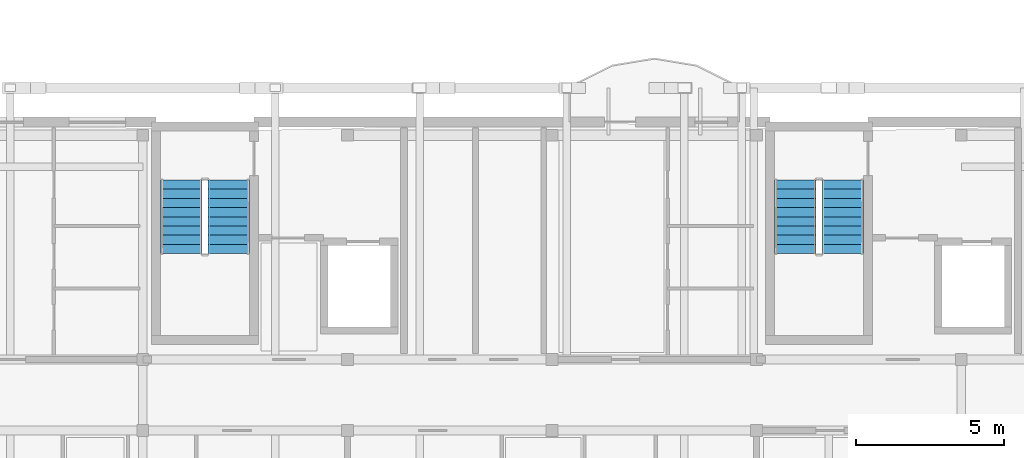
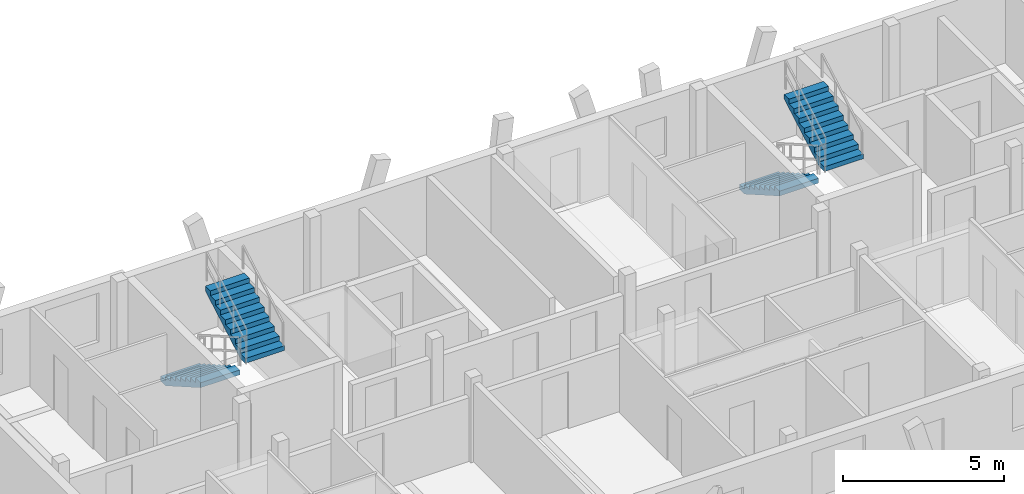
# One storey, part 14 of 18: 4 stair flights, 2 elements without a shape of their own.
"""IFC4 building model written with IfcOpenShell, lengths in metres."""

from ifc_helpers import new_model, si_unit, direction, frame, origin, place, context, subcontext, project, spatial, polyline, outline, extrude, material, type_object, element, aggregate, save


model = new_model("IFC4")

# Units and contexts
model_context = context("Model", 3, precision=1e-05, world=origin(), true_north=direction((0.0, 1.0)))
body_context = subcontext(model_context, "Body", "Model", "MODEL_VIEW")
ifc_project = project(units=[si_unit("LENGTHUNIT", "METRE"), si_unit("AREAUNIT", "SQUARE_METRE"), si_unit("VOLUMEUNIT", "CUBIC_METRE"), si_unit("PLANEANGLEUNIT", "RADIAN"), si_unit("MASSUNIT", "GRAM", prefix="KILO")], contexts=[model_context])

# Site, building, storey
site_placement = place(None, origin())
site = spatial("IfcSite", under=ifc_project, at=site_placement, CompositionType="ELEMENT")
building_placement = place(site_placement, origin())
building = spatial("IfcBuilding", under=site, at=building_placement, Name="Zavelmont Quarter", CompositionType="ELEMENT")
storey_placement = place(building_placement, frame((0.0, 0.0, 40.0)))
storey = spatial("IfcBuildingStorey", under=building, at=storey_placement, Name="L12", CompositionType="ELEMENT", Elevation=40.0)

# Stair, stair flights
ifc_material = material(Name="Concrete C35/45", Category="concrete")
stair_type = type_object("IfcStairType", Name="STR-1400-1778", PredefinedType="HALF_TURN_STAIR", material=ifc_material)
stair_1_placement = place(storey_placement, origin())
stair_1 = element("IfcStair", 1, at=stair_1_placement, inside=storey, type_object=stair_type, Name="L12 protected stair ST01", PredefinedType="HALF_TURN_STAIR")
stair_flight_type = type_object("IfcStairFlightType", Name="STF-1400-1778", PredefinedType="STRAIGHT", material=ifc_material)
stair_flight_1_placement = place(storey_placement, frame((8.199951171875, 16.449951171875, 0.0), z_axis=(0.0, 0.0, 1.0), x_axis=(0.0, -1.0, 0.0)))
stair_flight_1 = element("IfcStairFlight", 2, at=stair_flight_1_placement, type_object=stair_flight_type, Name="ST01 flight 1", NumberOfRisers=9, NumberOfTreads=8, PredefinedType="STRAIGHT", RiserHeight=0.177777778, TreadLength=0.31, context=body_context, shape_type="SweptSolid", body=[
    extrude(outline(polyline([(0.0, 0.0), (0.0, 0.177734375), (0.31005859375, 0.177734375), (0.31005859375, 0.35546875), (0.6201171875, 0.35546875), (0.6201171875, 0.533447265625), (0.929931640625, 0.533447265625), (0.929931640625, 0.711181640625), (1.239990234375, 0.711181640625), (1.239990234375, 0.888916015625), (1.550048828125, 0.888916015625), (1.550048828125, 1.066650390625), (1.860107421875, 1.066650390625), (1.860107421875, 1.244384765625), (2.169921875, 1.244384765625), (2.169921875, 1.422119140625), (2.47998046875, 1.422119140625), (2.47998046875, 1.60009765625), (2.47998046875, 1.23779296875), (0.321533203125, 0.0), (0.0, 0.0)])), frame((0.0, 0.699951171875, 0.0), z_axis=(0.0, -1.0, 0.0), x_axis=(1.0, 0.0, 0.0)), (0.0, 0.0, 1.0), 1.39990234375),
])
stair_flight_2_placement = place(storey_placement, frame((9.800048828125, 13.969970703125, 1.60009765625), z_axis=(0.0, 0.0, 1.0), x_axis=(0.0, 1.0, 0.0)))
stair_flight_2 = element("IfcStairFlight", 3, at=stair_flight_2_placement, type_object=stair_flight_type, Name="ST01 flight 2", NumberOfRisers=9, NumberOfTreads=8, PredefinedType="STRAIGHT", RiserHeight=0.177777778, TreadLength=0.31, context=body_context, shape_type="SweptSolid", body=[
    extrude(outline(polyline([(0.0, 0.0), (0.0, 0.177734375), (0.31005859375, 0.177734375), (0.31005859375, 0.35546875), (0.6201171875, 0.35546875), (0.6201171875, 0.533447265625), (0.929931640625, 0.533447265625), (0.929931640625, 0.711181640625), (1.239990234375, 0.711181640625), (1.239990234375, 0.888916015625), (1.550048828125, 0.888916015625), (1.550048828125, 1.066650390625), (1.860107421875, 1.066650390625), (1.860107421875, 1.244384765625), (2.169921875, 1.244384765625), (2.169921875, 1.422119140625), (2.47998046875, 1.422119140625), (2.47998046875, 1.60009765625), (2.47998046875, 1.23779296875), (0.321533203125, 0.0), (0.0, 0.0)])), frame((0.0, 0.699951171875, 0.0), z_axis=(0.0, -1.0, 0.0), x_axis=(1.0, 0.0, 0.0)), (0.0, 0.0, 1.0), 1.39990234375),
])
aggregate(stair_1, [stair_flight_1, stair_flight_2])

stair_2_placement = place(storey_placement, origin())
stair_2 = element("IfcStair", 4, at=stair_2_placement, inside=storey, type_object=stair_type, Name="L12 protected stair ST02", PredefinedType="HALF_TURN_STAIR")
stair_flight_3_placement = place(storey_placement, frame((28.89990234375, 16.449951171875, 0.0), z_axis=(0.0, 0.0, 1.0), x_axis=(0.0, -1.0, 0.0)))
stair_flight_3 = element("IfcStairFlight", 5, at=stair_flight_3_placement, type_object=stair_flight_type, Name="ST02 flight 1", NumberOfRisers=9, NumberOfTreads=8, PredefinedType="STRAIGHT", RiserHeight=0.177777778, TreadLength=0.31, context=body_context, shape_type="SweptSolid", body=[
    extrude(outline(polyline([(0.0, 0.0), (0.0, 0.177734375), (0.31005859375, 0.177734375), (0.31005859375, 0.35546875), (0.6201171875, 0.35546875), (0.6201171875, 0.533447265625), (0.929931640625, 0.533447265625), (0.929931640625, 0.711181640625), (1.239990234375, 0.711181640625), (1.239990234375, 0.888916015625), (1.550048828125, 0.888916015625), (1.550048828125, 1.066650390625), (1.860107421875, 1.066650390625), (1.860107421875, 1.244384765625), (2.169921875, 1.244384765625), (2.169921875, 1.422119140625), (2.47998046875, 1.422119140625), (2.47998046875, 1.60009765625), (2.47998046875, 1.23779296875), (0.321533203125, 0.0), (0.0, 0.0)])), frame((0.0, 0.699951171875, 0.0), z_axis=(0.0, -1.0, 0.0), x_axis=(1.0, 0.0, 0.0)), (0.0, 0.0, 1.0), 1.39990234375),
])
stair_flight_4_placement = place(storey_placement, frame((30.5, 13.969970703125, 1.60009765625), z_axis=(0.0, 0.0, 1.0), x_axis=(0.0, 1.0, 0.0)))
stair_flight_4 = element("IfcStairFlight", 6, at=stair_flight_4_placement, type_object=stair_flight_type, Name="ST02 flight 2", NumberOfRisers=9, NumberOfTreads=8, PredefinedType="STRAIGHT", RiserHeight=0.177777778, TreadLength=0.31, context=body_context, shape_type="SweptSolid", body=[
    extrude(outline(polyline([(0.0, 0.0), (0.0, 0.177734375), (0.31005859375, 0.177734375), (0.31005859375, 0.35546875), (0.6201171875, 0.35546875), (0.6201171875, 0.533447265625), (0.929931640625, 0.533447265625), (0.929931640625, 0.711181640625), (1.239990234375, 0.711181640625), (1.239990234375, 0.888916015625), (1.550048828125, 0.888916015625), (1.550048828125, 1.066650390625), (1.860107421875, 1.066650390625), (1.860107421875, 1.244384765625), (2.169921875, 1.244384765625), (2.169921875, 1.422119140625), (2.47998046875, 1.422119140625), (2.47998046875, 1.60009765625), (2.47998046875, 1.23779296875), (0.321533203125, 0.0), (0.0, 0.0)])), frame((0.0, 0.699951171875, 0.0), z_axis=(0.0, -1.0, 0.0), x_axis=(1.0, 0.0, 0.0)), (0.0, 0.0, 1.0), 1.39990234375),
])
aggregate(stair_2, [stair_flight_3, stair_flight_4])

save(model, "model.ifc")
